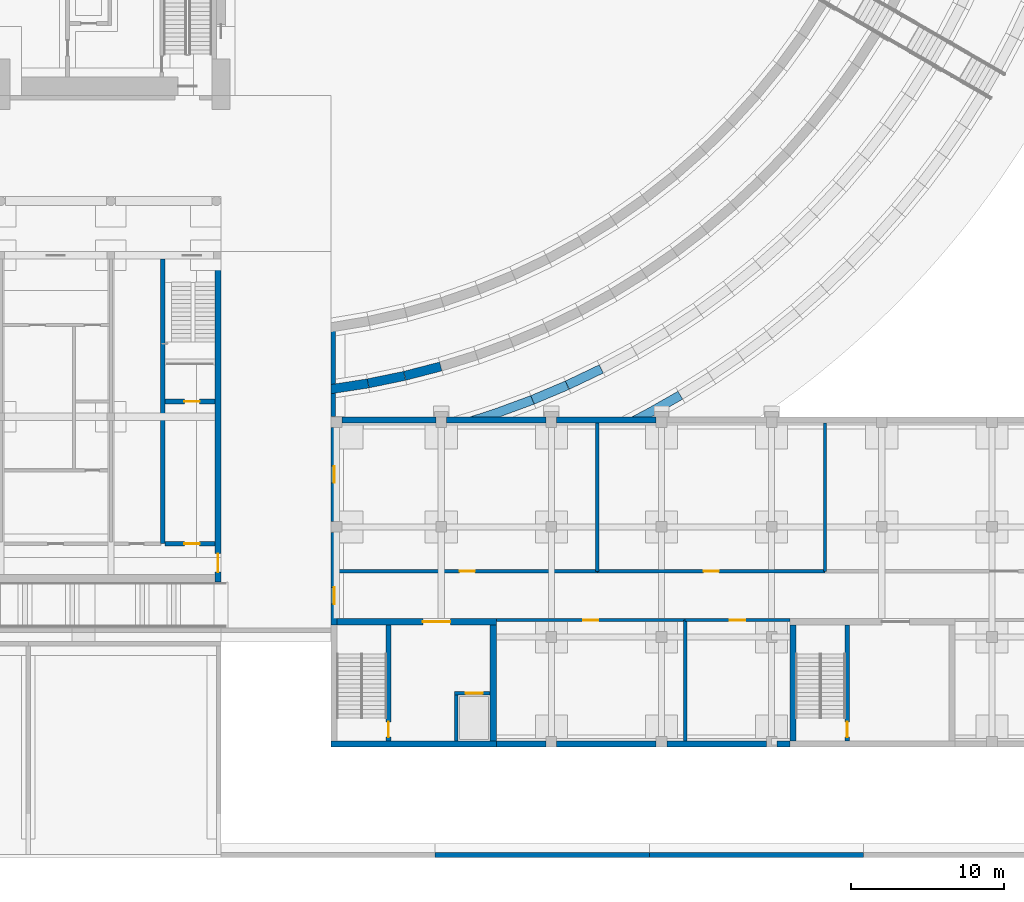
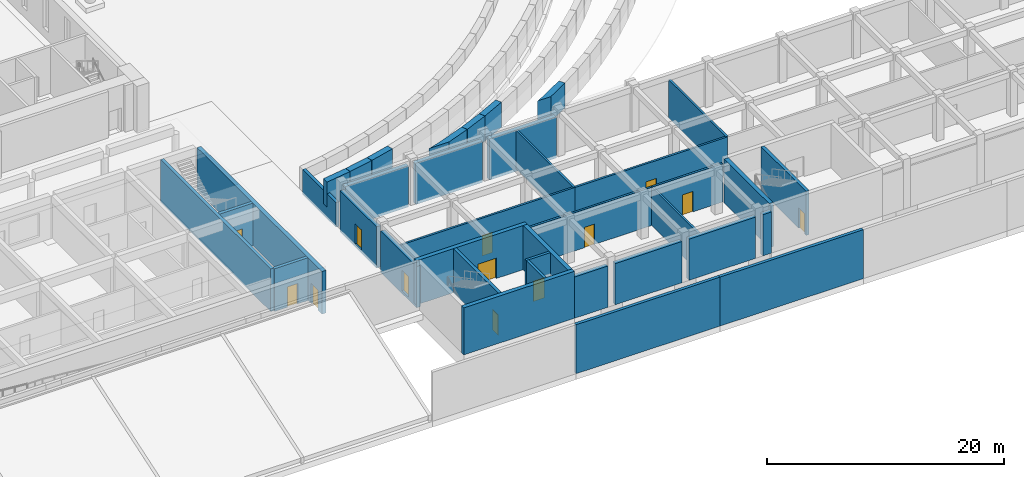
# One storey, part 43 of 73: 38 walls, 13 doors, 13 openings.
"""IFC4 building model written with IfcOpenShell, lengths in metres."""

from ifc_helpers import new_model, si_unit, direction, frame, frame_2d, origin, place, context, subcontext, project, spatial, polyline, rectangle, outline, extrude, material, layer, layer_set, type_object, element, fill, save


model = new_model("IFC4")

# Units and contexts
model_context = context("Model", 3, precision=1e-05, world=origin(), true_north=direction((0.0, 1.0)))
body_context = subcontext(model_context, "Body", "Model", "MODEL_VIEW")
ifc_project = project(units=[si_unit("LENGTHUNIT", "METRE"), si_unit("AREAUNIT", "SQUARE_METRE"), si_unit("VOLUMEUNIT", "CUBIC_METRE"), si_unit("PLANEANGLEUNIT", "RADIAN"), si_unit("MASSUNIT", "GRAM", prefix="KILO")], contexts=[model_context])

# Site, building, storey
site_placement = place(None, origin())
site = spatial("IfcSite", under=ifc_project, at=site_placement, CompositionType="ELEMENT")
building_placement = place(site_placement, origin())
building = spatial("IfcBuilding", under=site, at=building_placement, Name="Alderwick Market Hall", CompositionType="ELEMENT")
storey_placement = place(building_placement, origin())
storey = spatial("IfcBuildingStorey", under=building, at=storey_placement, Name="LG", CompositionType="ELEMENT", Elevation=0.0)

# Wall, opening, door
ifc_material_1 = material(Name="Concrete 5000 psi (f'c 35 MPa)", Category="concrete")
ifc_layer_1 = layer(ifc_material_1, 0.39990234375)
ifc_layer_set_1 = layer_set([ifc_layer_1], Name="Concrete 5000 psi (f'c 35 MPa)")
wall_type_1 = type_object("IfcWallType", Name="A RC End Wall 400", PredefinedType="SHEAR", material=ifc_layer_set_1)
wall_1_placement = place(storey_placement, frame((151.0, 18.0, 0.0), z_axis=(0.0, 0.0, 1.0), x_axis=(0.0, 1.0, 0.0)))
wall_1 = element("IfcWall", 1, at=wall_1_placement, inside=storey, type_object=wall_type_1, Name="A.S.wall.053", PredefinedType="SHEAR", context=body_context, shape_type="SweptSolid", body=[
    extrude(rectangle(XDim=21.10009765625, YDim=0.39990234375, at=frame_2d((10.550048828125, 0.0))), origin(), (0.0, 0.0, 1.0), 4.39990234375),
])
opening_1_placement = place(wall_1_placement, frame((0.64990234375, 0.0, 0.0)))
opening_1 = element("IfcOpeningElement", 2, at=opening_1_placement, cuts=wall_1, Name="Opening A-D030", PredefinedType="OPENING", context=body_context, shape_type="SweptSolid", body=[
    extrude(rectangle(XDim=1.199951171875, YDim=2.10009765625, at=frame_2d((0.60009765625, 1.050048828125))), frame((0.0, 0.2099609375, 0.0), z_axis=(0.0, -1.0, 0.0), x_axis=(1.0, 0.0, 0.0)), (0.0, 0.0, 1.0), 0.419921875),
])
ifc_material_2 = material(Name="Hollow metal door and frame")
door_type_1 = type_object("IfcDoorType", Name="A Door 1200x2100", OperationType="SINGLE_SWING_LEFT", PredefinedType="DOOR", material=ifc_material_2)
door_1_placement = place(opening_1_placement, origin())
door_1 = element("IfcDoor", 3, at=door_1_placement, inside=storey, type_object=door_type_1, Name="Service corridor exit door", OperationType="SINGLE_SWING_RIGHT", OverallHeight=2.10009765625, OverallWidth=1.199951171875, PredefinedType="DOOR", context=body_context, shape_type="SweptSolid", body=[
    extrude(rectangle(XDim=1.199951171875, YDim=2.10009765625, at=frame_2d((0.60009765625, 1.050048828125))), frame((0.0, 0.02490234375, 0.0), z_axis=(0.0, -1.0, 0.0), x_axis=(1.0, 0.0, 0.0)), (0.0, 0.0, 1.0), 0.050048828125),
])
fill(opening_1, door_1)

ifc_layer_2 = layer(ifc_material_1, 0.300048828125)
ifc_layer_set_2 = layer_set([ifc_layer_2], Name="Concrete 5000 psi (f'c 35 MPa)")
wall_type_2 = type_object("IfcWallType", Name="A RC Stair Core Wall 300", PredefinedType="SHEAR", material=ifc_layer_set_2)
wall_2_placement = place(storey_placement, frame((147.550048828125, 20.5, 0.0), z_axis=(0.0, 0.0, 1.0), x_axis=(1.0, 0.0, 0.0)))
wall_2 = element("IfcWall", 4, at=wall_2_placement, inside=storey, type_object=wall_type_2, Name="A.S.wall.003", PredefinedType="SHEAR", context=body_context, shape_type="SweptSolid", body=[
    extrude(rectangle(XDim=3.25, YDim=0.300048828125, at=frame_2d((1.625, 0.0))), origin(), (0.0, 0.0, 1.0), 4.39990234375),
])
opening_2_placement = place(wall_2_placement, frame((1.25, 0.0, 0.0)))
opening_2 = element("IfcOpeningElement", 5, at=opening_2_placement, cuts=wall_2, Name="Opening A-D093", PredefinedType="OPENING", context=body_context, shape_type="SweptSolid", body=[
    extrude(rectangle(XDim=1.0, YDim=2.10009765625, at=frame_2d((0.5, 1.050048828125))), frame((0.0, 0.159912109375, 0.0), z_axis=(0.0, -1.0, 0.0), x_axis=(1.0, 0.0, 0.0)), (0.0, 0.0, 1.0), 0.320068359375),
])
ifc_material_3 = material(Name="Hollow metal fire door and frame")
door_type_2 = type_object("IfcDoorType", Name="A Fire Door 1000x2100", OperationType="SINGLE_SWING_LEFT", PredefinedType="DOOR", material=ifc_material_3)
door_2_placement = place(opening_2_placement, origin())
door_2 = element("IfcDoor", 6, at=door_2_placement, inside=storey, type_object=door_type_2, Name="Stair lobby corridor door", OperationType="SINGLE_SWING_LEFT", OverallHeight=2.10009765625, OverallWidth=1.0, PredefinedType="DOOR", context=body_context, shape_type="SweptSolid", body=[
    extrude(rectangle(XDim=1.0, YDim=2.10009765625, at=frame_2d((0.5, 1.050048828125))), frame((0.0, 0.02490234375, 0.0), z_axis=(0.0, -1.0, 0.0), x_axis=(1.0, 0.0, 0.0)), (0.0, 0.0, 1.0), 0.050048828125),
])
fill(opening_2, door_2)

wall_3_placement = place(storey_placement, frame((147.550048828125, 29.800048828125, 0.0), z_axis=(0.0, 0.0, 1.0), x_axis=(1.0, 0.0, 0.0)))
wall_3 = element("IfcWall", 7, at=wall_3_placement, inside=storey, type_object=wall_type_2, Name="A.S.wall.007", PredefinedType="SHEAR", context=body_context, shape_type="SweptSolid", body=[
    extrude(rectangle(XDim=3.25, YDim=0.300048828125, at=frame_2d((1.625, 0.0))), origin(), (0.0, 0.0, 1.0), 4.39990234375),
])
opening_3_placement = place(wall_3_placement, frame((1.25, 0.0, 0.0)))
opening_3 = element("IfcOpeningElement", 8, at=opening_3_placement, cuts=wall_3, Name="Opening A-D092", PredefinedType="OPENING", context=body_context, shape_type="SweptSolid", body=[
    extrude(rectangle(XDim=1.0, YDim=2.10009765625, at=frame_2d((0.5, 1.050048828125))), frame((0.0, 0.159912109375, 0.0), z_axis=(0.0, -1.0, 0.0), x_axis=(1.0, 0.0, 0.0)), (0.0, 0.0, 1.0), 0.320068359375),
])
door_3_placement = place(opening_3_placement, origin())
door_3 = element("IfcDoor", 9, at=door_3_placement, inside=storey, type_object=door_type_2, Name="Roof stair lobby door", OperationType="SINGLE_SWING_RIGHT", OverallHeight=2.10009765625, OverallWidth=1.0, PredefinedType="DOOR", context=body_context, shape_type="SweptSolid", body=[
    extrude(rectangle(XDim=1.0, YDim=2.10009765625, at=frame_2d((0.5, 1.050048828125))), frame((0.0, 0.02490234375, 0.0), z_axis=(0.0, -1.0, 0.0), x_axis=(1.0, 0.0, 0.0)), (0.0, 0.0, 1.0), 0.050048828125),
])
fill(opening_3, door_3)

# Walls
wall_4_placement = place(storey_placement, frame((147.39990234375, 20.5, 0.0), z_axis=(0.0, 0.0, 1.0), x_axis=(0.0, 1.0, 0.0)))
element("IfcWall", 10, at=wall_4_placement, inside=storey, type_object=wall_type_2, Name="A.S.wall.052", PredefinedType="SHEAR", context=body_context, shape_type="SweptSolid", body=[
    extrude(rectangle(XDim=18.60009765625, YDim=0.300048828125, at=frame_2d((9.300048828125, 0.0))), origin(), (0.0, 0.0, 1.0), 4.39990234375),
])
ifc_layer_3 = layer(ifc_material_1, 0.39990234375)
ifc_layer_set_3 = layer_set([ifc_layer_3], Name="Concrete 5000 psi (f'c 35 MPa)")
wall_type_3 = type_object("IfcWallType", Name="C Base Wall Concrete 5000 psi 400", PredefinedType="SHEAR", material=ifc_layer_set_3)
wall_5_placement = place(storey_placement, frame((159.10009765625, 28.60009765625, -0.300048828125), z_axis=(0.0, 0.0, 1.0), x_axis=(1.0, 0.0, 0.0)))
element("IfcWall", 11, at=wall_5_placement, inside=storey, type_object=wall_type_3, Name="C.wall.LG.fac.front.01", PredefinedType="SHEAR", context=body_context, shape_type="SweptSolid", body=[
    extrude(rectangle(XDim=6.14990234375, YDim=0.39990234375, at=frame_2d((3.074951171875, 0.0))), origin(), (0.0, 0.0, 1.0), 4.25),
])
for number, where, z_axis, x_axis, name in (
    (12, (165.949951171875, 28.60009765625, -0.300048828125), (0.0, 0.0, 1.0), (1.0, 0.0, 0.0), "C.wall.LG.fac.front.02"),
    (13, (173.14990234375, 28.60009765625, -0.300048828125), (0.0, 0.0, 1.0), (1.0, 0.0, 0.0), "C.wall.LG.fac.front.03"),
):
    element("IfcWall", number, at=place(storey_placement, frame(where, z_axis=z_axis, x_axis=x_axis)), inside=storey, type_object=wall_type_3, Name=name, PredefinedType="SHEAR", context=body_context, shape_type="SweptSolid", body=[
        extrude(rectangle(XDim=6.5, YDim=0.39990234375, at=frame_2d((3.25, 0.0))), origin(), (0.0, 0.0, 1.0), 4.25),
    ])

# Wall, opening, door
wall_6_placement = place(storey_placement, frame((158.60009765625, 21.949951171875, -0.300048828125), z_axis=(0.0, 0.0, 1.0), x_axis=(0.0, 1.0, 0.0)))
wall_6 = element("IfcWall", 14, at=wall_6_placement, inside=storey, type_object=wall_type_3, Name="C.wall.LG.fac.west.01", PredefinedType="SHEAR", context=body_context, shape_type="SweptSolid", body=[
    extrude(rectangle(XDim=6.150146484375, YDim=0.39990234375, at=frame_2d((3.0751953125, 0.0))), origin(), (0.0, 0.0, 1.0), 4.25),
])
opening_4_placement = place(wall_6_placement, frame((2.52490234375, 0.0, 0.300048828125)))
opening_4 = element("IfcOpeningElement", 15, at=opening_4_placement, cuts=wall_6, Name="Opening C-D001", PredefinedType="OPENING", context=body_context, shape_type="SweptSolid", body=[
    extrude(rectangle(XDim=1.10009765625, YDim=2.10009765625, at=frame_2d((0.550048828125, 1.050048828125))), frame((0.0, 0.2099609375, 0.0), z_axis=(0.0, -1.0, 0.0), x_axis=(1.0, 0.0, 0.0)), (0.0, 0.0, 1.0), 0.419921875),
])
ifc_material_4 = material(Name="Steel, insulated", Category="steel")
door_type_3 = type_object("IfcDoorType", Name="C Exit Door FD60 1100x2100", OperationType="NOTDEFINED", PredefinedType="DOOR", material=ifc_material_4)
door_4_placement = place(opening_4_placement, origin())
door_4 = element("IfcDoor", 16, at=door_4_placement, inside=storey, type_object=door_type_3, Name="C.door.LG.001", OperationType="NOTDEFINED", OverallHeight=2.10009765625, OverallWidth=1.10009765625, PredefinedType="DOOR", context=body_context, shape_type="SweptSolid", body=[
    extrude(rectangle(XDim=1.10009765625, YDim=2.10009765625, at=frame_2d((0.550048828125, 1.050048828125))), frame((0.0, 0.02490234375, 0.0), z_axis=(0.0, -1.0, 0.0), x_axis=(1.0, 0.0, 0.0)), (0.0, 0.0, 1.0), 0.050048828125),
])
fill(opening_4, door_4)

wall_7_placement = place(storey_placement, frame((158.60009765625, 15.199951171875, -0.300048828125), z_axis=(0.0, 0.0, 1.0), x_axis=(0.0, 1.0, 0.0)))
wall_7 = element("IfcWall", 17, at=wall_7_placement, inside=storey, type_object=wall_type_3, Name="C.wall.LG.fac.west.02", PredefinedType="SHEAR", context=body_context, shape_type="SweptSolid", body=[
    extrude(rectangle(XDim=6.050048828125, YDim=0.39990234375, at=frame_2d((3.02490234375, 0.0))), origin(), (0.0, 0.0, 1.0), 4.25),
])
opening_5_placement = place(wall_7_placement, frame((1.35009765625, 0.0, 0.300048828125)))
opening_5 = element("IfcOpeningElement", 18, at=opening_5_placement, cuts=wall_7, Name="Opening C-D002", PredefinedType="OPENING", context=body_context, shape_type="SweptSolid", body=[
    extrude(rectangle(XDim=1.10009765625, YDim=2.10009765625, at=frame_2d((0.550048828125, 1.050048828125))), frame((0.0, 0.2099609375, 0.0), z_axis=(0.0, -1.0, 0.0), x_axis=(1.0, 0.0, 0.0)), (0.0, 0.0, 1.0), 0.419921875),
])
door_5_placement = place(opening_5_placement, origin())
door_5 = element("IfcDoor", 19, at=door_5_placement, inside=storey, type_object=door_type_3, Name="C.door.LG.002", OperationType="NOTDEFINED", OverallHeight=2.10009765625, OverallWidth=1.10009765625, PredefinedType="DOOR", context=body_context, shape_type="SweptSolid", body=[
    extrude(rectangle(XDim=1.10009765625, YDim=2.10009765625, at=frame_2d((0.550048828125, 1.050048828125))), frame((0.0, 0.02490234375, 0.0), z_axis=(0.0, -1.0, 0.0), x_axis=(1.0, 0.0, 0.0)), (0.0, 0.0, 1.0), 0.050048828125),
])
fill(opening_5, door_5)

# Walls
wall_8_placement = place(storey_placement, frame((172.449951171875, 7.39990234375, -0.300048828125), z_axis=(0.0, 0.0, 1.0), x_axis=(-1.0, 0.0, 0.0)))
element("IfcWall", 20, at=wall_8_placement, inside=storey, type_object=wall_type_3, Name="C.wall.LG.fac.back.02", PredefinedType="SHEAR", context=body_context, shape_type="SweptSolid", body=[
    extrude(rectangle(XDim=3.25, YDim=0.39990234375, at=frame_2d((1.625, 0.0))), origin(), (0.0, 0.0, 1.0), 4.25),
])
for number, where, z_axis, x_axis, name in (
    (21, (179.64990234375, 7.39990234375, -0.300048828125), (0.0, 0.0, 1.0), (-1.0, 0.0, 0.0), "C.wall.LG.fac.back.03"),
    (22, (186.85009765625, 7.39990234375, -0.300048828125), (0.0, 0.0, 1.0), (-1.0, 0.0, 0.0), "C.wall.LG.fac.back.04"),
):
    element("IfcWall", number, at=place(storey_placement, frame(where, z_axis=z_axis, x_axis=x_axis)), inside=storey, type_object=wall_type_3, Name=name, PredefinedType="SHEAR", context=body_context, shape_type="SweptSolid", body=[
        extrude(rectangle(XDim=6.5, YDim=0.39990234375, at=frame_2d((3.25, 0.0))), origin(), (0.0, 0.0, 1.0), 4.25),
    ])
wall_9_placement = place(storey_placement, frame((188.39990234375, 7.39990234375, -0.300048828125), z_axis=(0.0, 0.0, 1.0), x_axis=(-1.0, 0.0, 0.0)))
element("IfcWall", 23, at=wall_9_placement, inside=storey, type_object=wall_type_3, Name="C.wall.LG.fac.back.05", PredefinedType="SHEAR", context=body_context, shape_type="SweptSolid", body=[
    extrude(rectangle(XDim=0.849853515625, YDim=0.39990234375, at=frame_2d((0.4248046875, 0.0))), origin(), (0.0, 0.0, 1.0), 4.25),
])
ifc_layer_4 = layer(ifc_material_1, 0.39990234375)
ifc_layer_set_4 = layer_set([ifc_layer_4], Name="Concrete 5000 psi (f'c 35 MPa)")
wall_type_4 = type_object("IfcWallType", Name="C Core Wall Concrete 5000 psi 400", PredefinedType="SHEAR", material=ifc_layer_set_4)
wall_10_placement = place(storey_placement, frame((169.199951171875, 7.39990234375, -0.300048828125), z_axis=(0.0, 0.0, 1.0), x_axis=(-1.0, 0.0, 0.0)))
element("IfcWall", 24, at=wall_10_placement, inside=storey, type_object=wall_type_4, Name="C.wall.LG.fac.back.01", PredefinedType="SHEAR", context=body_context, shape_type="SweptSolid", body=[
    extrude(rectangle(XDim=10.800048828125, YDim=0.39990234375, at=frame_2d((5.39990234375, 0.0))), origin(), (0.0, 0.0, 1.0), 4.85009765625),
])

# Wall, opening, door
wall_11_placement = place(storey_placement, frame((158.39990234375, 15.39990234375, 0.0), z_axis=(0.0, 0.0, 1.0), x_axis=(1.0, 0.0, 0.0)))
wall_11 = element("IfcWall", 25, at=wall_11_placement, inside=storey, type_object=wall_type_4, Name="C.wall.LG.core.A.front.01", PredefinedType="SHEAR", context=body_context, shape_type="SweptSolid", body=[
    extrude(rectangle(XDim=10.800048828125, YDim=0.39990234375, at=frame_2d((5.39990234375, 0.0))), origin(), (0.0, 0.0, 1.0), 4.550048828125),
])
opening_6_placement = place(wall_11_placement, frame((6.0, 0.0, 0.0)))
opening_6 = element("IfcOpeningElement", 26, at=opening_6_placement, cuts=wall_11, Name="Opening C-D020", PredefinedType="OPENING", context=body_context, shape_type="SweptSolid", body=[
    extrude(rectangle(XDim=1.800048828125, YDim=2.10009765625, at=frame_2d((0.89990234375, 1.050048828125))), frame((0.0, 0.2099609375, 0.0), z_axis=(0.0, -1.0, 0.0), x_axis=(1.0, 0.0, 0.0)), (0.0, 0.0, 1.0), 0.419921875),
])
door_type_4 = type_object("IfcDoorType", Name="C Fire Door Pair FD90 1800x2100", OperationType="NOTDEFINED", PredefinedType="DOOR", material=ifc_material_4)
door_6_placement = place(opening_6_placement, origin())
door_6 = element("IfcDoor", 27, at=door_6_placement, inside=storey, type_object=door_type_4, Name="C.door.LG.020", OperationType="NOTDEFINED", OverallHeight=2.10009765625, OverallWidth=1.800048828125, PredefinedType="DOOR", context=body_context, shape_type="SweptSolid", body=[
    extrude(rectangle(XDim=1.800048828125, YDim=2.10009765625, at=frame_2d((0.89990234375, 1.050048828125))), frame((0.0, 0.02490234375, 0.0), z_axis=(0.0, -1.0, 0.0), x_axis=(1.0, 0.0, 0.0)), (0.0, 0.0, 1.0), 0.050048828125),
])
fill(opening_6, door_6)

# Walls
for number, where, z_axis, x_axis, name in (
    (28, (169.0, 15.199951171875, 0.0), (0.0, 0.0, 1.0), (0.0, -1.0, 0.0), "C.wall.LG.core.A.east.01"),
    (29, (188.60009765625, 15.199951171875, 0.0), (0.0, 0.0, 1.0), (0.0, -1.0, 0.0), "C.wall.LG.core.B.west.01"),
):
    element("IfcWall", number, at=place(storey_placement, frame(where, z_axis=z_axis, x_axis=x_axis)), inside=storey, type_object=wall_type_4, Name=name, PredefinedType="SHEAR", context=body_context, shape_type="SweptSolid", body=[
        extrude(rectangle(XDim=7.599853515625, YDim=0.39990234375, at=frame_2d((3.7998046875, 0.0))), origin(), (0.0, 0.0, 1.0), 4.550048828125),
    ])

# Wall, opening, door
ifc_material_5 = material(Name="Gypsum board on steel studs", Category="steel")
ifc_layer_5 = layer(ifc_material_5, 0.199951171875)
ifc_layer_set_5 = layer_set([ifc_layer_5], Name="Gypsum board on steel studs")
wall_type_5 = type_object("IfcWallType", Name="C Fire Partition Wall 200", PredefinedType="PARTITIONING", material=ifc_layer_set_5)
wall_12_placement = place(storey_placement, frame((158.800048828125, 18.699951171875, 0.0), z_axis=(0.0, 0.0, 1.0), x_axis=(1.0, 0.0, 0.0)))
wall_12 = element("IfcWall", 30, at=wall_12_placement, inside=storey, type_object=wall_type_5, Name="C.wall.LG.part.001", PredefinedType="PARTITIONING", context=body_context, shape_type="SweptSolid", body=[
    extrude(rectangle(XDim=17.0, YDim=0.199951171875, at=frame_2d((8.5, 0.0))), origin(), (0.0, 0.0, 1.0), 3.949951171875),
])
opening_7_placement = place(wall_12_placement, frame((8.0, 0.0, 0.0)))
opening_7 = element("IfcOpeningElement", 31, at=opening_7_placement, cuts=wall_12, Name="Opening C-D027", PredefinedType="OPENING", context=body_context, shape_type="SweptSolid", body=[
    extrude(rectangle(XDim=1.0, YDim=2.10009765625, at=frame_2d((0.5, 1.050048828125))), frame((0.0, 0.10986328125, 0.0), z_axis=(0.0, -1.0, 0.0), x_axis=(1.0, 0.0, 0.0)), (0.0, 0.0, 1.0), 0.219970703125),
])
door_type_5 = type_object("IfcDoorType", Name="C Fire Door FD60 1000x2100", OperationType="NOTDEFINED", PredefinedType="DOOR", material=ifc_material_4)
door_7_placement = place(opening_7_placement, origin())
door_7 = element("IfcDoor", 32, at=door_7_placement, inside=storey, type_object=door_type_5, Name="C.door.LG.027", OperationType="NOTDEFINED", OverallHeight=2.10009765625, OverallWidth=1.0, PredefinedType="DOOR", context=body_context, shape_type="SweptSolid", body=[
    extrude(rectangle(XDim=1.0, YDim=2.10009765625, at=frame_2d((0.5, 1.050048828125))), frame((0.0, 0.02490234375, 0.0), z_axis=(0.0, -1.0, 0.0), x_axis=(1.0, 0.0, 0.0)), (0.0, 0.0, 1.0), 0.050048828125),
])
fill(opening_7, door_7)

wall_13_placement = place(storey_placement, frame((175.800048828125, 18.699951171875, 0.0), z_axis=(0.0, 0.0, 1.0), x_axis=(1.0, 0.0, 0.0)))
wall_13 = element("IfcWall", 33, at=wall_13_placement, inside=storey, type_object=wall_type_5, Name="C.wall.LG.part.002", PredefinedType="PARTITIONING", context=body_context, shape_type="SweptSolid", body=[
    extrude(rectangle(XDim=14.89990234375, YDim=0.199951171875, at=frame_2d((7.449951171875, 0.0))), origin(), (0.0, 0.0, 1.0), 3.949951171875),
])
opening_8_placement = place(wall_13_placement, frame((6.949951171875, 0.0, 0.0)))
opening_8 = element("IfcOpeningElement", 34, at=opening_8_placement, cuts=wall_13, Name="Opening C-D028", PredefinedType="OPENING", context=body_context, shape_type="SweptSolid", body=[
    extrude(rectangle(XDim=1.0, YDim=2.10009765625, at=frame_2d((0.5, 1.050048828125))), frame((0.0, 0.10986328125, 0.0), z_axis=(0.0, -1.0, 0.0), x_axis=(1.0, 0.0, 0.0)), (0.0, 0.0, 1.0), 0.219970703125),
])
door_8_placement = place(opening_8_placement, origin())
door_8 = element("IfcDoor", 35, at=door_8_placement, inside=storey, type_object=door_type_5, Name="C.door.LG.028", OperationType="NOTDEFINED", OverallHeight=2.10009765625, OverallWidth=1.0, PredefinedType="DOOR", context=body_context, shape_type="SweptSolid", body=[
    extrude(rectangle(XDim=1.0, YDim=2.10009765625, at=frame_2d((0.5, 1.050048828125))), frame((0.0, 0.02490234375, 0.0), z_axis=(0.0, -1.0, 0.0), x_axis=(1.0, 0.0, 0.0)), (0.0, 0.0, 1.0), 0.050048828125),
])
fill(opening_8, door_8)

wall_14_placement = place(storey_placement, frame((169.199951171875, 15.5, 0.0), z_axis=(0.0, 0.0, 1.0), x_axis=(1.0, 0.0, 0.0)))
wall_14 = element("IfcWall", 36, at=wall_14_placement, inside=storey, type_object=wall_type_5, Name="C.wall.LG.part.005", PredefinedType="PARTITIONING", context=body_context, shape_type="SweptSolid", body=[
    extrude(rectangle(XDim=12.35009765625, YDim=0.199951171875, at=frame_2d((6.175048828125, 0.0))), origin(), (0.0, 0.0, 1.0), 3.949951171875),
])
opening_9_placement = place(wall_14_placement, frame((5.675048828125, 0.0, 0.0)))
opening_9 = element("IfcOpeningElement", 37, at=opening_9_placement, cuts=wall_14, Name="Opening C-D031", PredefinedType="OPENING", context=body_context, shape_type="SweptSolid", body=[
    extrude(rectangle(XDim=1.0, YDim=2.10009765625, at=frame_2d((0.5, 1.050048828125))), frame((0.0, 0.10986328125, 0.0), z_axis=(0.0, -1.0, 0.0), x_axis=(1.0, 0.0, 0.0)), (0.0, 0.0, 1.0), 0.219970703125),
])
door_9_placement = place(opening_9_placement, origin())
door_9 = element("IfcDoor", 38, at=door_9_placement, inside=storey, type_object=door_type_5, Name="C.door.LG.031", OperationType="NOTDEFINED", OverallHeight=2.10009765625, OverallWidth=1.0, PredefinedType="DOOR", context=body_context, shape_type="SweptSolid", body=[
    extrude(rectangle(XDim=1.0, YDim=2.10009765625, at=frame_2d((0.5, 1.050048828125))), frame((0.0, 0.02490234375, 0.0), z_axis=(0.0, -1.0, 0.0), x_axis=(1.0, 0.0, 0.0)), (0.0, 0.0, 1.0), 0.050048828125),
])
fill(opening_9, door_9)

wall_15_placement = place(storey_placement, frame((181.550048828125, 15.5, 0.0), z_axis=(0.0, 0.0, 1.0), x_axis=(1.0, 0.0, 0.0)))
wall_15 = element("IfcWall", 39, at=wall_15_placement, inside=storey, type_object=wall_type_5, Name="C.wall.LG.part.006", PredefinedType="PARTITIONING", context=body_context, shape_type="SweptSolid", body=[
    extrude(rectangle(XDim=6.849853515625, YDim=0.199951171875, at=frame_2d((3.4248046875, 0.0))), origin(), (0.0, 0.0, 1.0), 3.949951171875),
])
opening_10_placement = place(wall_15_placement, frame((2.925048828125, 0.0, 0.0)))
opening_10 = element("IfcOpeningElement", 40, at=opening_10_placement, cuts=wall_15, Name="Opening C-D032", PredefinedType="OPENING", context=body_context, shape_type="SweptSolid", body=[
    extrude(rectangle(XDim=1.0, YDim=2.10009765625, at=frame_2d((0.5, 1.050048828125))), frame((0.0, 0.10986328125, 0.0), z_axis=(0.0, -1.0, 0.0), x_axis=(1.0, 0.0, 0.0)), (0.0, 0.0, 1.0), 0.219970703125),
])
door_10_placement = place(opening_10_placement, origin())
door_10 = element("IfcDoor", 41, at=door_10_placement, inside=storey, type_object=door_type_5, Name="C.door.LG.032", OperationType="NOTDEFINED", OverallHeight=2.10009765625, OverallWidth=1.0, PredefinedType="DOOR", context=body_context, shape_type="SweptSolid", body=[
    extrude(rectangle(XDim=1.0, YDim=2.10009765625, at=frame_2d((0.5, 1.050048828125))), frame((0.0, 0.02490234375, 0.0), z_axis=(0.0, -1.0, 0.0), x_axis=(1.0, 0.0, 0.0)), (0.0, 0.0, 1.0), 0.050048828125),
])
fill(opening_10, door_10)

# Walls
wall_16_placement = place(storey_placement, frame((175.800048828125, 28.39990234375, 0.0), z_axis=(0.0, 0.0, 1.0), x_axis=(0.0, -1.0, 0.0)))
element("IfcWall", 42, at=wall_16_placement, inside=storey, type_object=wall_type_5, Name="C.wall.LG.part.008", PredefinedType="PARTITIONING", context=body_context, shape_type="SweptSolid", body=[
    extrude(rectangle(XDim=9.699951171875, YDim=0.199951171875, at=frame_2d((4.85009765625, 0.0))), origin(), (0.0, 0.0, 1.0), 3.949951171875),
])
wall_17_placement = place(storey_placement, frame((181.550048828125, 15.5, 0.0), z_axis=(0.0, 0.0, 1.0), x_axis=(0.0, -1.0, 0.0)))
element("IfcWall", 43, at=wall_17_placement, inside=storey, type_object=wall_type_5, Name="C.wall.LG.part.009", PredefinedType="PARTITIONING", context=body_context, shape_type="SweptSolid", body=[
    extrude(rectangle(XDim=7.89990234375, YDim=0.199951171875, at=frame_2d((3.949951171875, 0.0))), origin(), (0.0, 0.0, 1.0), 3.949951171875),
])
wall_18_placement = place(storey_placement, frame((190.699951171875, 28.39990234375, 0.0), z_axis=(0.0, 0.0, 1.0), x_axis=(0.0, -1.0, 0.0)))
element("IfcWall", 44, at=wall_18_placement, inside=storey, type_object=wall_type_5, Name="C.wall.LG.part.010", PredefinedType="PARTITIONING", context=body_context, shape_type="SweptSolid", body=[
    extrude(rectangle(XDim=9.699951171875, YDim=0.199951171875, at=frame_2d((4.85009765625, 0.0))), origin(), (0.0, 0.0, 1.0), 3.949951171875),
])
ifc_layer_6 = layer(ifc_material_1, 0.25)
ifc_layer_set_6 = layer_set([ifc_layer_6], Name="Concrete 5000 psi (f'c 35 MPa)")
wall_type_6 = type_object("IfcWallType", Name="C Lift Shaft Wall Concrete 5000 psi 250", PredefinedType="SHEAR", material=ifc_layer_set_6)
wall_19_placement = place(storey_placement, frame((166.574951171875, 10.85009765625, 0.0), z_axis=(0.0, 0.0, 1.0), x_axis=(0.0, -1.0, 0.0)))
element("IfcWall", 45, at=wall_19_placement, inside=storey, type_object=wall_type_6, Name="C.wall.LG.core.A.shaftw.01", PredefinedType="SHEAR", context=body_context, shape_type="SweptSolid", body=[
    extrude(rectangle(XDim=3.25, YDim=0.25, at=frame_2d((1.625, 0.0))), origin(), (0.0, 0.0, 1.0), 4.550048828125),
])

# Wall, opening, door
wall_20_placement = place(storey_placement, frame((166.449951171875, 10.72509765625, 0.0), z_axis=(0.0, 0.0, 1.0), x_axis=(1.0, 0.0, 0.0)))
wall_20 = element("IfcWall", 46, at=wall_20_placement, inside=storey, type_object=wall_type_6, Name="C.wall.LG.core.A.shaftf.01", PredefinedType="SHEAR", context=body_context, shape_type="SweptSolid", body=[
    extrude(rectangle(XDim=2.35009765625, YDim=0.25, at=frame_2d((1.175048828125, 0.0))), origin(), (0.0, 0.0, 1.0), 4.550048828125),
])
opening_11_placement = place(wall_20_placement, frame((0.75, 0.0, 0.0)))
opening_11 = element("IfcOpeningElement", 47, at=opening_11_placement, cuts=wall_20, Name="Opening C-D021", PredefinedType="OPENING", context=body_context, shape_type="SweptSolid", body=[
    extrude(rectangle(XDim=1.10009765625, YDim=2.10009765625, at=frame_2d((0.550048828125, 1.050048828125))), frame((0.0, 0.135009765625, 0.0), z_axis=(0.0, -1.0, 0.0), x_axis=(1.0, 0.0, 0.0)), (0.0, 0.0, 1.0), 0.27001953125),
])
ifc_material_6 = material(Name="Stainless steel", Category="steel")
door_type_6 = type_object("IfcDoorType", Name="C Lift Landing Door 1100x2100", OperationType="SLIDING_TO_LEFT", PredefinedType="DOOR", material=ifc_material_6)
door_11_placement = place(opening_11_placement, origin())
door_11 = element("IfcDoor", 48, at=door_11_placement, inside=storey, type_object=door_type_6, Name="C.door.LG.021", OperationType="SLIDING_TO_LEFT", OverallHeight=2.10009765625, OverallWidth=1.10009765625, PredefinedType="DOOR", context=body_context, shape_type="SweptSolid", body=[
    extrude(rectangle(XDim=1.10009765625, YDim=2.10009765625, at=frame_2d((0.550048828125, 1.050048828125))), frame((0.0, 0.02490234375, 0.0), z_axis=(0.0, -1.0, 0.0), x_axis=(1.0, 0.0, 0.0)), (0.0, 0.0, 1.0), 0.050048828125),
])
fill(opening_11, door_11)

ifc_layer_7 = layer(ifc_material_1, 0.300048828125)
ifc_layer_set_7 = layer_set([ifc_layer_7], Name="Concrete 5000 psi (f'c 35 MPa)")
wall_type_7 = type_object("IfcWallType", Name="C Stair Divider Wall Concrete 5000 psi 300", PredefinedType="SHEAR", material=ifc_layer_set_7)
wall_21_placement = place(storey_placement, frame((162.14990234375, 15.199951171875, 0.0), z_axis=(0.0, 0.0, 1.0), x_axis=(0.0, -1.0, 0.0)))
wall_21 = element("IfcWall", 49, at=wall_21_placement, inside=storey, type_object=wall_type_7, Name="C.wall.LG.core.A.div.01", PredefinedType="SHEAR", context=body_context, shape_type="SweptSolid", body=[
    extrude(rectangle(XDim=7.599853515625, YDim=0.300048828125, at=frame_2d((3.7998046875, 0.0))), origin(), (0.0, 0.0, 1.0), 4.550048828125),
])
opening_12_placement = place(wall_21_placement, frame((6.35009765625, 0.0, 0.0)))
opening_12 = element("IfcOpeningElement", 50, at=opening_12_placement, cuts=wall_21, Name="Opening C-D019", PredefinedType="OPENING", context=body_context, shape_type="SweptSolid", body=[
    extrude(rectangle(XDim=1.0, YDim=2.10009765625, at=frame_2d((0.5, 1.050048828125))), frame((0.0, 0.159912109375, 0.0), z_axis=(0.0, -1.0, 0.0), x_axis=(1.0, 0.0, 0.0)), (0.0, 0.0, 1.0), 0.320068359375),
])
door_type_7 = type_object("IfcDoorType", Name="C Fire Door FD90 1000x2100", OperationType="NOTDEFINED", PredefinedType="DOOR", material=ifc_material_4)
door_12_placement = place(opening_12_placement, origin())
door_12 = element("IfcDoor", 51, at=door_12_placement, inside=storey, type_object=door_type_7, Name="C.door.LG.019", OperationType="NOTDEFINED", OverallHeight=2.10009765625, OverallWidth=1.0, PredefinedType="DOOR", context=body_context, shape_type="SweptSolid", body=[
    extrude(rectangle(XDim=1.0, YDim=2.10009765625, at=frame_2d((0.5, 1.050048828125))), frame((0.0, 0.02490234375, 0.0), z_axis=(0.0, -1.0, 0.0), x_axis=(1.0, 0.0, 0.0)), (0.0, 0.0, 1.0), 0.050048828125),
])
fill(opening_12, door_12)

wall_22_placement = place(storey_placement, frame((192.14990234375, 15.199951171875, 0.0), z_axis=(0.0, 0.0, 1.0), x_axis=(0.0, -1.0, 0.0)))
wall_22 = element("IfcWall", 52, at=wall_22_placement, inside=storey, type_object=wall_type_7, Name="C.wall.LG.core.B.div.01", PredefinedType="SHEAR", context=body_context, shape_type="SweptSolid", body=[
    extrude(rectangle(XDim=7.599853515625, YDim=0.300048828125, at=frame_2d((3.7998046875, 0.0))), origin(), (0.0, 0.0, 1.0), 4.550048828125),
])
opening_13_placement = place(wall_22_placement, frame((6.35009765625, 0.0, 0.0)))
opening_13 = element("IfcOpeningElement", 53, at=opening_13_placement, cuts=wall_22, Name="Opening C-D022", PredefinedType="OPENING", context=body_context, shape_type="SweptSolid", body=[
    extrude(rectangle(XDim=1.0, YDim=2.10009765625, at=frame_2d((0.5, 1.050048828125))), frame((0.0, 0.159912109375, 0.0), z_axis=(0.0, -1.0, 0.0), x_axis=(1.0, 0.0, 0.0)), (0.0, 0.0, 1.0), 0.320068359375),
])
door_13_placement = place(opening_13_placement, origin())
door_13 = element("IfcDoor", 54, at=door_13_placement, inside=storey, type_object=door_type_7, Name="C.door.LG.022", OperationType="NOTDEFINED", OverallHeight=2.10009765625, OverallWidth=1.0, PredefinedType="DOOR", context=body_context, shape_type="SweptSolid", body=[
    extrude(rectangle(XDim=1.0, YDim=2.10009765625, at=frame_2d((0.5, 1.050048828125))), frame((0.0, 0.02490234375, 0.0), z_axis=(0.0, -1.0, 0.0), x_axis=(1.0, 0.0, 0.0)), (0.0, 0.0, 1.0), 0.050048828125),
])
fill(opening_13, door_13)

# Walls
ifc_layer_8 = layer(ifc_material_1, 0.300048828125)
ifc_layer_set_8 = layer_set([ifc_layer_8], Name="Concrete 5000 psi (f'c 35 MPa)")
wall_type_8 = type_object("IfcWallType", Name="S Retaining Wall 300", PredefinedType="SOLIDWALL", material=ifc_layer_set_8)
wall_23_placement = place(storey_placement, frame((158.550048828125, 28.81005859375, -0.25), z_axis=(0.0, 0.0, 1.0), x_axis=(0.0, 1.0, 0.0)))
element("IfcWall", 55, at=wall_23_placement, inside=storey, type_object=wall_type_8, Name="Retaining wall 07a", PredefinedType="SOLIDWALL", context=body_context, shape_type="SweptSolid", body=[
    extrude(rectangle(XDim=5.6318359375, YDim=0.300048828125, at=frame_2d((2.81591796875, 0.0))), origin(), (0.0, 0.0, 1.0), 2.550048828125),
])
for number, where, z_axis, x_axis, name in (
    (56, (165.199951171875, 0.15087890625, -0.25), (0.0, 0.0, 1.0), (1.0, 0.0, 0.0), "Boundary wall S01b"),
    (57, (179.199951171875, 0.15087890625, -0.25), (0.0, 0.0, 1.0), (1.0, 0.0, 0.0), "Boundary wall S01c"),
):
    element("IfcWall", number, at=place(storey_placement, frame(where, z_axis=z_axis, x_axis=x_axis)), inside=storey, type_object=wall_type_8, Name=name, PredefinedType="SOLIDWALL", context=body_context, shape_type="SweptSolid", body=[
        extrude(rectangle(XDim=14.0, YDim=0.300048828125, at=frame_2d((7.0, 0.0))), origin(), (0.0, 0.0, 1.0), 5.050048828125),
    ])
ifc_layer_9 = layer(ifc_material_1, 0.60009765625)
ifc_layer_set_9 = layer_set([ifc_layer_9], Name="Concrete 5000 psi (f'c 35 MPa)")
wall_type_9 = type_object("IfcWallType", Name="S Terrace Wall 600", PredefinedType="SOLIDWALL", material=ifc_layer_set_9)
wall_24_placement = place(storey_placement, frame((0.0, 0.0, 0.89990234375)))
element("IfcWall", 58, at=wall_24_placement, inside=storey, type_object=wall_type_9, Name="Terrace wall W2.01", PredefinedType="SOLIDWALL", context=body_context, shape_type="SweptSolid", body=[
    extrude(outline(polyline([(158.39990234375, 30.910400390625), (158.39990234375, 30.304443359375), (158.438720703125, 30.30908203125), (160.868408203125, 30.685791015625), (160.76171875, 31.276611328125), (158.39990234375, 30.910400390625)])), origin(), (0.0, 0.0, 1.0), 2.60009765625),
])
wall_25_placement = place(storey_placement, frame((160.822509765625, 30.98291015625, 0.89990234375), z_axis=(0.0, 0.0, 1.0), x_axis=(0.979335996798, 0.202239969779, 0.0)))
element("IfcWall", 59, at=wall_25_placement, inside=storey, type_object=wall_type_9, Name="Terrace wall W2.02", PredefinedType="SOLIDWALL", context=body_context, shape_type="SweptSolid", body=[
    extrude(rectangle(XDim=2.428955078125, YDim=0.60009765625, at=frame_2d((1.21435546875, 0.0))), origin(), (0.0, 0.0, 1.0), 2.60009765625),
])
wall_26_placement = place(storey_placement, frame((163.2158203125, 31.4775390625, 0.89990234375), z_axis=(0.0, 0.0, 1.0), x_axis=(0.967988758021, 0.25099355439, 0.0)))
element("IfcWall", 60, at=wall_26_placement, inside=storey, type_object=wall_type_9, Name="Terrace wall W2.03", PredefinedType="SOLIDWALL", context=body_context, shape_type="SweptSolid", body=[
    extrude(rectangle(XDim=2.4287109375, YDim=0.60009765625, at=frame_2d((1.21435546875, 0.0))), origin(), (0.0, 0.0, 1.0), 2.60009765625),
])
wall_27_placement = place(storey_placement, frame((0.0, 0.0, 2.10009765625)))
element("IfcWall", 61, at=wall_27_placement, inside=storey, type_object=wall_type_9, Name="Terrace wall W3.01", PredefinedType="SOLIDWALL", context=body_context, shape_type="SweptSolid", body=[
    extrude(outline(polyline([(167.496337890625, 28.800048828125), (169.43505859375, 28.800048828125), (171.673095703125, 29.623779296875), (171.452880859375, 30.18212890625), (169.148681640625, 29.333984375), (168.281494140625, 29.0458984375), (167.496337890625, 28.800048828125)])), origin(), (0.0, 0.0, 1.0), 2.599853515625),
])
wall_28_placement = place(storey_placement, frame((171.5693359375, 29.90576171875, 2.10009765625), z_axis=(0.0, 0.0, 1.0), x_axis=(0.92133188635, 0.388776999312, 0.0)))
element("IfcWall", 62, at=wall_28_placement, inside=storey, type_object=wall_type_9, Name="Terrace wall W3.02", PredefinedType="SOLIDWALL", context=body_context, shape_type="SweptSolid", body=[
    extrude(rectangle(XDim=2.455322265625, YDim=0.60009765625, at=frame_2d((1.2275390625, 0.0))), origin(), (0.0, 0.0, 1.0), 2.599853515625),
])
wall_29_placement = place(storey_placement, frame((173.84423828125, 30.865966796875, 2.10009765625), z_axis=(0.0, 0.0, 1.0), x_axis=(0.902221710532, 0.431272518305, 0.0)))
element("IfcWall", 63, at=wall_29_placement, inside=storey, type_object=wall_type_9, Name="Terrace wall W3.03", PredefinedType="SOLIDWALL", context=body_context, shape_type="SweptSolid", body=[
    extrude(rectangle(XDim=2.455078125, YDim=0.60009765625, at=frame_2d((1.2275390625, 0.0))), origin(), (0.0, 0.0, 1.0), 2.599853515625),
])
wall_30_placement = place(storey_placement, frame((0.0, 0.0, 3.300048828125)))
element("IfcWall", 64, at=wall_30_placement, inside=storey, type_object=wall_type_9, Name="Terrace wall W4.01", PredefinedType="SOLIDWALL", context=body_context, shape_type="SweptSolid", body=[
    extrude(outline(polyline([(178.0732421875, 28.800048828125), (179.359375, 28.800048828125), (181.38330078125, 29.94775390625), (181.07666015625, 30.46337890625), (179.04931640625, 29.31396484375), (178.193603515625, 28.861083984375), (178.0732421875, 28.800048828125)])), origin(), (0.0, 0.0, 1.0), 2.599853515625),
])

save(model, "model.ifc")
